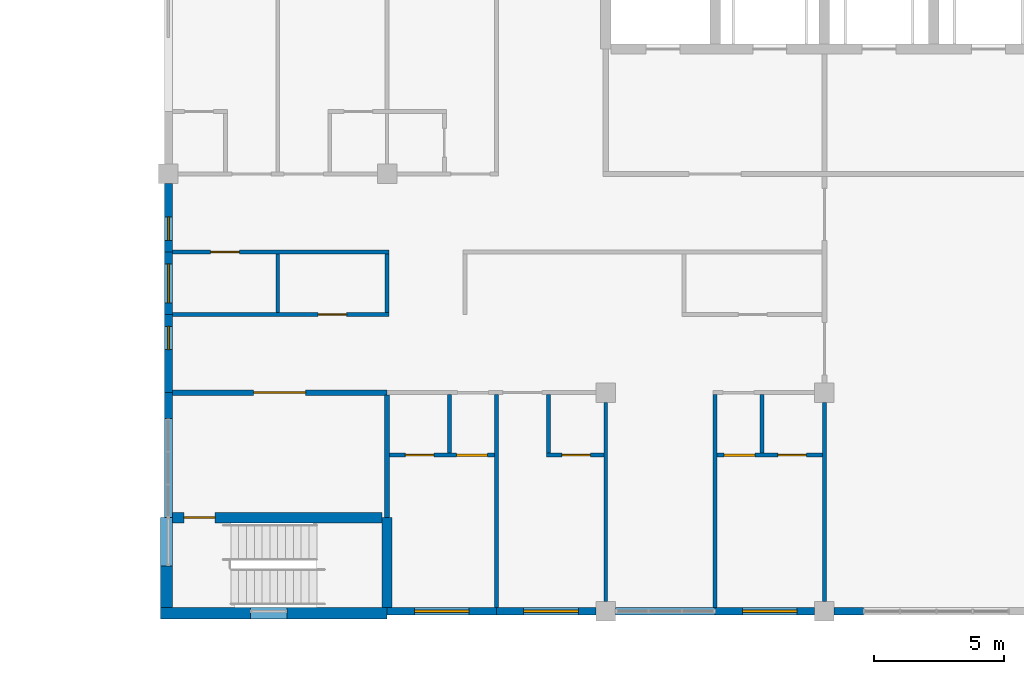
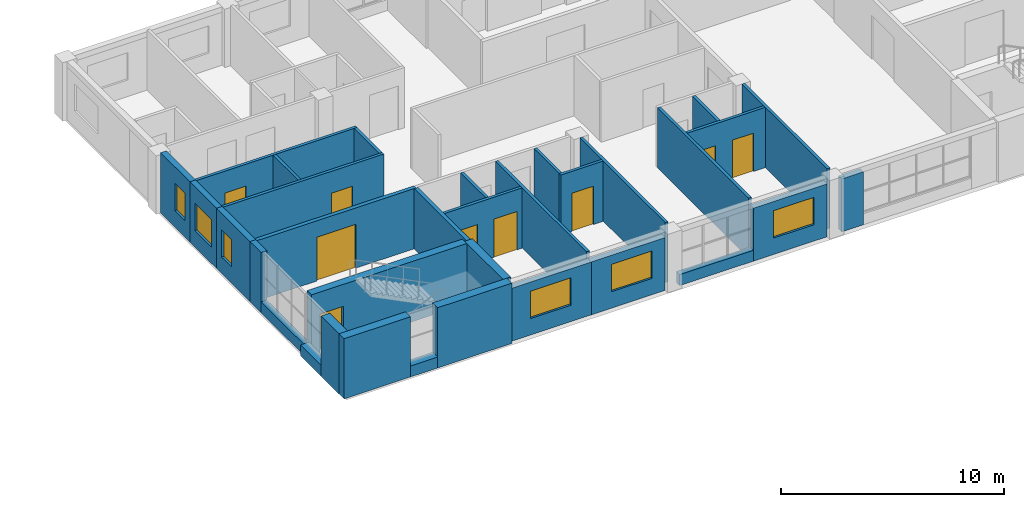
# One storey, part 32 of 48: 33 walls, 9 doors, 6 windows, 15 openings.
"""IFC4 building model written with IfcOpenShell, lengths in metres."""

from ifc_helpers import new_model, si_unit, direction, frame, frame_2d, origin, place, context, subcontext, project, spatial, rectangle, extrude, material, layer, layer_set, type_object, element, fill, save


model = new_model("IFC4")

# Units and contexts
model_context = context("Model", 3, precision=1e-05, world=origin(), true_north=direction((0.0, 1.0)))
body_context = subcontext(model_context, "Body", "Model", "MODEL_VIEW")
ifc_project = project(units=[si_unit("LENGTHUNIT", "METRE"), si_unit("AREAUNIT", "SQUARE_METRE"), si_unit("VOLUMEUNIT", "CUBIC_METRE"), si_unit("PLANEANGLEUNIT", "RADIAN"), si_unit("MASSUNIT", "GRAM", prefix="KILO")], contexts=[model_context])

# Site, building, storey
site_placement = place(None, origin())
site = spatial("IfcSite", under=ifc_project, at=site_placement, CompositionType="ELEMENT")
building_placement = place(site_placement, origin())
building = spatial("IfcBuilding", under=site, at=building_placement, Name="Yavir Park General Hospital", CompositionType="ELEMENT")
storey_placement = place(building_placement, frame((0.0, 0.0, 26.10009765625)))
storey = spatial("IfcBuildingStorey", under=building, at=storey_placement, Name="L06", CompositionType="ELEMENT", Elevation=26.10009765625)

# Wall, opening, door
ifc_material_1 = material(Name="Double gypsum board fire partition on steel studs", Category="steel")
ifc_layer_1 = layer(ifc_material_1, 0.199951171875)
ifc_layer_set_1 = layer_set([ifc_layer_1], Name="Double gypsum board fire partition on steel studs")
wall_type_1 = type_object("IfcWallType", Name="Fire-rated partition 200, EI 60", PredefinedType="PARTITIONING", material=ifc_layer_set_1)
wall_1_placement = place(storey_placement, frame((100.949951171875, 8.39990234375, 0.0), z_axis=(0.0, 0.0, 1.0), x_axis=(1.0, 0.0, 0.0)))
wall_1 = element("IfcWall", 1, at=wall_1_placement, inside=storey, type_object=wall_type_1, Name="FP20 L06-018", PredefinedType="PARTITIONING", context=body_context, shape_type="SweptSolid", body=[
    extrude(rectangle(XDim=8.25, YDim=0.199951171875, at=frame_2d((4.125, 0.0))), origin(), (0.0, 0.0, 1.0), 3.2998046875),
])
opening_1_placement = place(wall_1_placement, frame((3.125, 0.0, 0.0)))
opening_1 = element("IfcOpeningElement", 2, at=opening_1_placement, cuts=wall_1, Name="Opening L06.D025", PredefinedType="OPENING", context=body_context, shape_type="SweptSolid", body=[
    extrude(rectangle(XDim=2.0, YDim=2.39990234375, at=frame_2d((1.0, 1.199951171875))), frame((0.0, 0.10986328125, 0.0), z_axis=(0.0, -1.0, 0.0), x_axis=(1.0, 0.0, 0.0)), (0.0, 0.0, 1.0), 0.219970703125),
])
ifc_material_2 = material(Name="Steel frame, fire-resisting leaves with vision panels", Category="steel")
door_type_1 = type_object("IfcDoorType", Name="Double fire door with vision panels 2000 x 2400, EI 60", OperationType="DOUBLE_DOOR_SINGLE_SWING", PredefinedType="DOOR", material=ifc_material_2)
door_1_placement = place(opening_1_placement, origin())
door_1 = element("IfcDoor", 3, at=door_1_placement, inside=storey, type_object=door_type_1, Name="L06.D025", OperationType="SINGLE_SWING_RIGHT", OverallHeight=2.39990234375, OverallWidth=2.0, PredefinedType="DOOR", context=body_context, shape_type="SweptSolid", body=[
    extrude(rectangle(XDim=2.0, YDim=2.39990234375, at=frame_2d((1.0, 1.199951171875))), frame((0.0, 0.030029296875, 0.0), z_axis=(0.0, -1.0, 0.0), x_axis=(1.0, 0.0, 0.0)), (0.0, 0.0, 1.0), 0.06005859375),
])
fill(opening_1, door_1)

# Wall
wall_2_placement = place(storey_placement, frame((109.199951171875, 3.60009765625, 0.0), z_axis=(0.0, 0.0, 1.0), x_axis=(0.0, 1.0, 0.0)))
element("IfcWall", 4, at=wall_2_placement, inside=storey, type_object=wall_type_1, Name="FP20 L06-214", PredefinedType="PARTITIONING", context=body_context, shape_type="SweptSolid", body=[
    extrude(rectangle(XDim=4.699951171875, YDim=0.199951171875, at=frame_2d((2.35009765625, 0.0))), origin(), (0.0, 0.0, 1.0), 3.2998046875),
])

# Wall, openings, doors
ifc_material_3 = material(Name="Gypsum board partition on steel studs", Category="steel")
ifc_layer_2 = layer(ifc_material_3, 0.14990234375)
ifc_layer_set_2 = layer_set([ifc_layer_2], Name="Gypsum board partition on steel studs")
wall_type_2 = type_object("IfcWallType", Name="Gypsum board partition 150", PredefinedType="PARTITIONING", material=ifc_layer_set_2)
wall_3_placement = place(storey_placement, frame((109.300048828125, 6.0, 0.0), z_axis=(0.0, 0.0, 1.0), x_axis=(1.0, 0.0, 0.0)))
wall_3 = element("IfcWall", 5, at=wall_3_placement, inside=storey, type_object=wall_type_2, Name="P15 L06-008", PredefinedType="PARTITIONING", context=body_context, shape_type="SweptSolid", body=[
    extrude(rectangle(XDim=4.02490234375, YDim=0.14990234375, at=frame_2d((2.012451171875, 0.0))), origin(), (0.0, 0.0, 1.0), 3.2998046875),
])
opening_2_placement = place(wall_3_placement, frame((0.60009765625, 0.0, 0.0)))
opening_2 = element("IfcOpeningElement", 6, at=opening_2_placement, cuts=wall_3, Name="Opening L06.D009", PredefinedType="OPENING", context=body_context, shape_type="SweptSolid", body=[
    extrude(rectangle(XDim=1.10009765625, YDim=2.10009765625, at=frame_2d((0.550048828125, 1.050048828125))), frame((0.0, 0.0849609375, 0.0), z_axis=(0.0, -1.0, 0.0), x_axis=(1.0, 0.0, 0.0)), (0.0, 0.0, 1.0), 0.169921875),
])
opening_3_placement = place(wall_3_placement, frame((2.5625, 0.0, 0.0)))
opening_3 = element("IfcOpeningElement", 7, at=opening_3_placement, cuts=wall_3, Name="Opening L06.D010", PredefinedType="OPENING", context=body_context, shape_type="SweptSolid", body=[
    extrude(rectangle(XDim=1.199951171875, YDim=2.10009765625, at=frame_2d((0.60009765625, 1.050048828125))), frame((0.0, 0.0849609375, 0.0), z_axis=(0.0, -1.0, 0.0), x_axis=(1.0, 0.0, 0.0)), (0.0, 0.0, 1.0), 0.169921875),
])
ifc_material_4 = material(Name="Sealed steel door leaf, compression seals", Category="steel")
door_type_2 = type_object("IfcDoorType", Name="Isolation airlock door 1200 x 2100", OperationType="SINGLE_SWING_LEFT", PredefinedType="DOOR", material=ifc_material_4)
door_2_placement = place(opening_3_placement, origin())
door_2 = element("IfcDoor", 8, at=door_2_placement, inside=storey, type_object=door_type_2, Name="L06.D010", OperationType="SINGLE_SWING_RIGHT", OverallHeight=2.10009765625, OverallWidth=1.199951171875, PredefinedType="DOOR", context=body_context, shape_type="SweptSolid", body=[
    extrude(rectangle(XDim=1.199951171875, YDim=2.10009765625, at=frame_2d((0.60009765625, 1.050048828125))), frame((0.0, 0.050048828125, 0.0), z_axis=(0.0, -1.0, 0.0), x_axis=(1.0, 0.0, 0.0)), (0.0, 0.0, 1.0), 0.10009765625),
])
fill(opening_3, door_2)
ifc_material_5 = material(Name="Hollow metal frame, solid-core timber leaf", Category="wood")
door_type_3 = type_object("IfcDoorType", Name="Single swing door 1100 x 2100", OperationType="SINGLE_SWING_LEFT", PredefinedType="DOOR", material=ifc_material_5)
door_3_placement = place(opening_2_placement, origin())
door_3 = element("IfcDoor", 9, at=door_3_placement, inside=storey, type_object=door_type_3, Name="L06.D009", OperationType="SINGLE_SWING_LEFT", OverallHeight=2.10009765625, OverallWidth=1.10009765625, PredefinedType="DOOR", context=body_context, shape_type="SweptSolid", body=[
    extrude(rectangle(XDim=1.10009765625, YDim=2.10009765625, at=frame_2d((0.550048828125, 1.050048828125))), frame((0.0, 0.02490234375, 0.0), z_axis=(0.0, -1.0, 0.0), x_axis=(1.0, 0.0, 0.0)), (0.0, 0.0, 1.0), 0.050048828125),
])
fill(opening_2, door_3)

# Wall, opening, door
wall_4_placement = place(storey_placement, frame((115.324951171875, 6.0, 0.0), z_axis=(0.0, 0.0, 1.0), x_axis=(1.0, 0.0, 0.0)))
wall_4 = element("IfcWall", 10, at=wall_4_placement, inside=storey, type_object=wall_type_2, Name="P15 L06-009", PredefinedType="PARTITIONING", context=body_context, shape_type="SweptSolid", body=[
    extrude(rectangle(XDim=2.199951171875, YDim=0.14990234375, at=frame_2d((1.10009765625, 0.0))), origin(), (0.0, 0.0, 1.0), 3.2998046875),
])
opening_4_placement = place(wall_4_placement, frame((0.58740234375, 0.0, 0.0)))
opening_4 = element("IfcOpeningElement", 11, at=opening_4_placement, cuts=wall_4, Name="Opening L06.D011", PredefinedType="OPENING", context=body_context, shape_type="SweptSolid", body=[
    extrude(rectangle(XDim=1.10009765625, YDim=2.10009765625, at=frame_2d((0.550048828125, 1.050048828125))), frame((0.0, 0.0849609375, 0.0), z_axis=(0.0, -1.0, 0.0), x_axis=(1.0, 0.0, 0.0)), (0.0, 0.0, 1.0), 0.169921875),
])
door_4_placement = place(opening_4_placement, origin())
door_4 = element("IfcDoor", 12, at=door_4_placement, inside=storey, type_object=door_type_3, Name="L06.D011", OperationType="SINGLE_SWING_RIGHT", OverallHeight=2.10009765625, OverallWidth=1.10009765625, PredefinedType="DOOR", context=body_context, shape_type="SweptSolid", body=[
    extrude(rectangle(XDim=1.10009765625, YDim=2.10009765625, at=frame_2d((0.550048828125, 1.050048828125))), frame((0.0, 0.02490234375, 0.0), z_axis=(0.0, -1.0, 0.0), x_axis=(1.0, 0.0, 0.0)), (0.0, 0.0, 1.0), 0.050048828125),
])
fill(opening_4, door_4)

# Wall, openings, doors
wall_5_placement = place(storey_placement, frame((121.875, 6.0, 0.0), z_axis=(0.0, 0.0, 1.0), x_axis=(1.0, 0.0, 0.0)))
wall_5 = element("IfcWall", 13, at=wall_5_placement, inside=storey, type_object=wall_type_2, Name="P15 L06-010", PredefinedType="PARTITIONING", context=body_context, shape_type="SweptSolid", body=[
    extrude(rectangle(XDim=4.050048828125, YDim=0.14990234375, at=frame_2d((2.02490234375, 0.0))), origin(), (0.0, 0.0, 1.0), 3.2998046875),
])
opening_5_placement = place(wall_5_placement, frame((0.262451171875, 0.0, 0.0)))
opening_5 = element("IfcOpeningElement", 14, at=opening_5_placement, cuts=wall_5, Name="Opening L06.D012", PredefinedType="OPENING", context=body_context, shape_type="SweptSolid", body=[
    extrude(rectangle(XDim=1.199951171875, YDim=2.10009765625, at=frame_2d((0.60009765625, 1.050048828125))), frame((0.0, 0.0849609375, 0.0), z_axis=(0.0, -1.0, 0.0), x_axis=(1.0, 0.0, 0.0)), (0.0, 0.0, 1.0), 0.169921875),
])
opening_6_placement = place(wall_5_placement, frame((2.33740234375, 0.0, 0.0)))
opening_6 = element("IfcOpeningElement", 15, at=opening_6_placement, cuts=wall_5, Name="Opening L06.D013", PredefinedType="OPENING", context=body_context, shape_type="SweptSolid", body=[
    extrude(rectangle(XDim=1.10009765625, YDim=2.10009765625, at=frame_2d((0.550048828125, 1.050048828125))), frame((0.0, 0.0849609375, 0.0), z_axis=(0.0, -1.0, 0.0), x_axis=(1.0, 0.0, 0.0)), (0.0, 0.0, 1.0), 0.169921875),
])
door_5_placement = place(opening_5_placement, origin())
door_5 = element("IfcDoor", 16, at=door_5_placement, inside=storey, type_object=door_type_2, Name="L06.D012", OperationType="SINGLE_SWING_LEFT", OverallHeight=2.10009765625, OverallWidth=1.199951171875, PredefinedType="DOOR", context=body_context, shape_type="SweptSolid", body=[
    extrude(rectangle(XDim=1.199951171875, YDim=2.10009765625, at=frame_2d((0.60009765625, 1.050048828125))), frame((0.0, 0.050048828125, 0.0), z_axis=(0.0, -1.0, 0.0), x_axis=(1.0, 0.0, 0.0)), (0.0, 0.0, 1.0), 0.10009765625),
])
fill(opening_5, door_5)
door_6_placement = place(opening_6_placement, origin())
door_6 = element("IfcDoor", 17, at=door_6_placement, inside=storey, type_object=door_type_3, Name="L06.D013", OperationType="SINGLE_SWING_RIGHT", OverallHeight=2.10009765625, OverallWidth=1.10009765625, PredefinedType="DOOR", context=body_context, shape_type="SweptSolid", body=[
    extrude(rectangle(XDim=1.10009765625, YDim=2.10009765625, at=frame_2d((0.550048828125, 1.050048828125))), frame((0.0, 0.02490234375, 0.0), z_axis=(0.0, -1.0, 0.0), x_axis=(1.0, 0.0, 0.0)), (0.0, 0.0, 1.0), 0.050048828125),
])
fill(opening_6, door_6)

# Wall, opening, door
wall_6_placement = place(storey_placement, frame((100.949951171875, 11.39990234375, 0.0), z_axis=(0.0, 0.0, 1.0), x_axis=(1.0, 0.0, 0.0)))
wall_6 = element("IfcWall", 18, at=wall_6_placement, inside=storey, type_object=wall_type_2, Name="P15 L06-026", PredefinedType="PARTITIONING", context=body_context, shape_type="SweptSolid", body=[
    extrude(rectangle(XDim=8.324951171875, YDim=0.14990234375, at=frame_2d((4.16259765625, 0.0))), origin(), (0.0, 0.0, 1.0), 3.2998046875),
])
opening_7_placement = place(wall_6_placement, frame((5.60009765625, 0.0, 0.0)))
opening_7 = element("IfcOpeningElement", 19, at=opening_7_placement, cuts=wall_6, Name="Opening L06.D035", PredefinedType="OPENING", context=body_context, shape_type="SweptSolid", body=[
    extrude(rectangle(XDim=1.10009765625, YDim=2.10009765625, at=frame_2d((0.550048828125, 1.050048828125))), frame((0.0, 0.0849609375, 0.0), z_axis=(0.0, -1.0, 0.0), x_axis=(1.0, 0.0, 0.0)), (0.0, 0.0, 1.0), 0.169921875),
])
door_7_placement = place(opening_7_placement, origin())
door_7 = element("IfcDoor", 20, at=door_7_placement, inside=storey, type_object=door_type_3, Name="L06.D035", OperationType="SINGLE_SWING_RIGHT", OverallHeight=2.10009765625, OverallWidth=1.10009765625, PredefinedType="DOOR", context=body_context, shape_type="SweptSolid", body=[
    extrude(rectangle(XDim=1.10009765625, YDim=2.10009765625, at=frame_2d((0.550048828125, 1.050048828125))), frame((0.0, 0.02490234375, 0.0), z_axis=(0.0, -1.0, 0.0), x_axis=(1.0, 0.0, 0.0)), (0.0, 0.0, 1.0), 0.050048828125),
])
fill(opening_7, door_7)

wall_7_placement = place(storey_placement, frame((100.949951171875, 13.800048828125, 0.0), z_axis=(0.0, 0.0, 1.0), x_axis=(1.0, 0.0, 0.0)))
wall_7 = element("IfcWall", 21, at=wall_7_placement, inside=storey, type_object=wall_type_2, Name="P15 L06-033", PredefinedType="PARTITIONING", context=body_context, shape_type="SweptSolid", body=[
    extrude(rectangle(XDim=8.324951171875, YDim=0.14990234375, at=frame_2d((4.16259765625, 0.0))), origin(), (0.0, 0.0, 1.0), 3.2998046875),
])
opening_8_placement = place(wall_7_placement, frame((1.47509765625, 0.0, 0.0)))
opening_8 = element("IfcOpeningElement", 22, at=opening_8_placement, cuts=wall_7, Name="Opening L06.D038", PredefinedType="OPENING", context=body_context, shape_type="SweptSolid", body=[
    extrude(rectangle(XDim=1.10009765625, YDim=2.10009765625, at=frame_2d((0.550048828125, 1.050048828125))), frame((0.0, 0.0849609375, 0.0), z_axis=(0.0, -1.0, 0.0), x_axis=(1.0, 0.0, 0.0)), (0.0, 0.0, 1.0), 0.169921875),
])
door_8_placement = place(opening_8_placement, origin())
door_8 = element("IfcDoor", 23, at=door_8_placement, inside=storey, type_object=door_type_3, Name="L06.D038", OperationType="SINGLE_SWING_RIGHT", OverallHeight=2.10009765625, OverallWidth=1.10009765625, PredefinedType="DOOR", context=body_context, shape_type="SweptSolid", body=[
    extrude(rectangle(XDim=1.10009765625, YDim=2.10009765625, at=frame_2d((0.550048828125, 1.050048828125))), frame((0.0, 0.02490234375, 0.0), z_axis=(0.0, -1.0, 0.0), x_axis=(1.0, 0.0, 0.0)), (0.0, 0.0, 1.0), 0.050048828125),
])
fill(opening_8, door_8)

# Walls
for number, where, z_axis, x_axis, name in (
    (24, (105.0, 11.47509765625, 0.0), (0.0, 0.0, 1.0), (0.0, 1.0, 0.0), "P15 L06-210"),
    (25, (109.199951171875, 11.47509765625, 0.0), (0.0, 0.0, 1.0), (0.0, 1.0, 0.0), "P15 L06-215"),
    (26, (111.60009765625, 6.074951171875, 0.0), (0.0, 0.0, 1.0), (0.0, 1.0, 0.0), "P15 L06-219"),
):
    element("IfcWall", number, at=place(storey_placement, frame(where, z_axis=z_axis, x_axis=x_axis)), inside=storey, type_object=wall_type_2, Name=name, PredefinedType="PARTITIONING", context=body_context, shape_type="SweptSolid", body=[
        extrude(rectangle(XDim=2.25, YDim=0.14990234375, at=frame_2d((1.125, 0.0))), origin(), (0.0, 0.0, 1.0), 3.2998046875),
    ])
wall_8_placement = place(storey_placement, frame((113.39990234375, 0.14990234375, 0.0), z_axis=(0.0, 0.0, 1.0), x_axis=(0.0, 1.0, 0.0)))
element("IfcWall", 27, at=wall_8_placement, inside=storey, type_object=wall_type_2, Name="P15 L06-221", PredefinedType="PARTITIONING", context=body_context, shape_type="SweptSolid", body=[
    extrude(rectangle(XDim=8.175048828125, YDim=0.14990234375, at=frame_2d((4.08740234375, 0.0))), origin(), (0.0, 0.0, 1.0), 3.2998046875),
])
wall_9_placement = place(storey_placement, frame((115.39990234375, 6.074951171875, 0.0), z_axis=(0.0, 0.0, 1.0), x_axis=(0.0, 1.0, 0.0)))
element("IfcWall", 28, at=wall_9_placement, inside=storey, type_object=wall_type_2, Name="P15 L06-223", PredefinedType="PARTITIONING", context=body_context, shape_type="SweptSolid", body=[
    extrude(rectangle(XDim=2.25, YDim=0.14990234375, at=frame_2d((1.125, 0.0))), origin(), (0.0, 0.0, 1.0), 3.2998046875),
])
wall_10_placement = place(storey_placement, frame((117.60009765625, 0.375, 0.0), z_axis=(0.0, 0.0, 1.0), x_axis=(0.0, 1.0, 0.0)))
element("IfcWall", 29, at=wall_10_placement, inside=storey, type_object=wall_type_2, Name="P15 L06-224", PredefinedType="PARTITIONING", context=body_context, shape_type="SweptSolid", body=[
    extrude(rectangle(XDim=7.64990234375, YDim=0.14990234375, at=frame_2d((3.824951171875, 0.0))), origin(), (0.0, 0.0, 1.0), 3.2998046875),
])
wall_11_placement = place(storey_placement, frame((121.800048828125, 0.14990234375, 0.0), z_axis=(0.0, 0.0, 1.0), x_axis=(0.0, 1.0, 0.0)))
element("IfcWall", 30, at=wall_11_placement, inside=storey, type_object=wall_type_2, Name="P15 L06-228", PredefinedType="PARTITIONING", context=body_context, shape_type="SweptSolid", body=[
    extrude(rectangle(XDim=8.175048828125, YDim=0.14990234375, at=frame_2d((4.08740234375, 0.0))), origin(), (0.0, 0.0, 1.0), 3.2998046875),
])
wall_12_placement = place(storey_placement, frame((123.60009765625, 6.074951171875, 0.0), z_axis=(0.0, 0.0, 1.0), x_axis=(0.0, 1.0, 0.0)))
element("IfcWall", 31, at=wall_12_placement, inside=storey, type_object=wall_type_2, Name="P15 L06-230", PredefinedType="PARTITIONING", context=body_context, shape_type="SweptSolid", body=[
    extrude(rectangle(XDim=2.25, YDim=0.14990234375, at=frame_2d((1.125, 0.0))), origin(), (0.0, 0.0, 1.0), 3.2998046875),
])
wall_13_placement = place(storey_placement, frame((126.0, 0.375, 0.0), z_axis=(0.0, 0.0, 1.0), x_axis=(0.0, 1.0, 0.0)))
element("IfcWall", 32, at=wall_13_placement, inside=storey, type_object=wall_type_2, Name="P15 L06-231", PredefinedType="PARTITIONING", context=body_context, shape_type="SweptSolid", body=[
    extrude(rectangle(XDim=7.64990234375, YDim=0.14990234375, at=frame_2d((3.824951171875, 0.0))), origin(), (0.0, 0.0, 1.0), 3.2998046875),
])

# Wall, opening, window
ifc_material_6 = material(Name="Autoclaved aerated block, mineral wool and ochre mineral render")
ifc_layer_3 = layer(ifc_material_6, 0.300048828125)
ifc_layer_set_3 = layer_set([ifc_layer_3], Name="Autoclaved aerated block, mineral wool and ochre mineral render")
wall_type_3 = type_object("IfcWallType", Name="Ochre render ward wall 300, E 30", PredefinedType="SOLIDWALL", material=ifc_layer_set_3)
wall_14_placement = place(storey_placement, frame((109.199951171875, 0.0, 0.0), z_axis=(0.0, 0.0, 1.0), x_axis=(1.0, 0.0, 0.0)))
wall_14 = element("IfcWall", 33, at=wall_14_placement, inside=storey, type_object=wall_type_3, Name="XW7 L06-016", PredefinedType="SOLIDWALL", context=body_context, shape_type="SweptSolid", body=[
    extrude(rectangle(XDim=4.199951171875, YDim=0.300048828125, at=frame_2d((2.10009765625, 0.0))), origin(), (0.0, 0.0, 1.0), 2.89990234375),
])
opening_9_placement = place(wall_14_placement, frame((1.050048828125, 0.0, 0.89990234375)))
opening_9 = element("IfcOpeningElement", 34, at=opening_9_placement, cuts=wall_14, Name="Opening WI", PredefinedType="OPENING", context=body_context, shape_type="SweptSolid", body=[
    extrude(rectangle(XDim=2.10009765625, YDim=1.5, at=frame_2d((1.050048828125, 0.75))), frame((0.0, 0.159912109375, 0.0), z_axis=(0.0, -1.0, 0.0), x_axis=(1.0, 0.0, 0.0)), (0.0, 0.0, 1.0), 0.320068359375),
])
ifc_material_7 = material(Name="Aluminium frame, acoustic glazed unit", Category="aluminium")
window_type_1 = type_object("IfcWindowType", Name="Acoustic glazed window 2100 x 1500", PartitioningType="SINGLE_PANEL", PredefinedType="WINDOW", material=ifc_material_7)
window_1_placement = place(opening_9_placement, origin())
window_1 = element("IfcWindow", 35, at=window_1_placement, inside=storey, type_object=window_type_1, Name="WI L06-006", OverallHeight=1.5, OverallWidth=2.10009765625, PartitioningType="SINGLE_PANEL", PredefinedType="WINDOW", context=body_context, shape_type="SweptSolid", body=[
    extrude(rectangle(XDim=2.10009765625, YDim=1.5, at=frame_2d((1.050048828125, 0.75))), frame((0.0, 0.044921875, 0.0), z_axis=(0.0, -1.0, 0.0), x_axis=(1.0, 0.0, 0.0)), (0.0, 0.0, 1.0), 0.090087890625),
])
fill(opening_9, window_1)

wall_15_placement = place(storey_placement, frame((113.39990234375, 0.0, 0.0), z_axis=(0.0, 0.0, 1.0), x_axis=(1.0, 0.0, 0.0)))
wall_15 = element("IfcWall", 36, at=wall_15_placement, inside=storey, type_object=wall_type_3, Name="XW7 L06-017", PredefinedType="SOLIDWALL", context=body_context, shape_type="SweptSolid", body=[
    extrude(rectangle(XDim=3.8251953125, YDim=0.300048828125, at=frame_2d((1.91259765625, 0.0))), origin(), (0.0, 0.0, 1.0), 2.89990234375),
])
opening_10_placement = place(wall_15_placement, frame((1.050048828125, 0.0, 0.89990234375)))
opening_10 = element("IfcOpeningElement", 37, at=opening_10_placement, cuts=wall_15, Name="Opening WAR", PredefinedType="OPENING", context=body_context, shape_type="SweptSolid", body=[
    extrude(rectangle(XDim=2.10009765625, YDim=1.5, at=frame_2d((1.050048828125, 0.75))), frame((0.0, 0.159912109375, 0.0), z_axis=(0.0, -1.0, 0.0), x_axis=(1.0, 0.0, 0.0)), (0.0, 0.0, 1.0), 0.320068359375),
])
ifc_material_8 = material(Name="Aluminium frame, tilt-and-turn sash with opening restrictor, double glazed unit", Category="aluminium")
window_type_2 = type_object("IfcWindowType", Name="Ward window, restricted opening 2100 x 1500", PartitioningType="DOUBLE_PANEL_VERTICAL", PredefinedType="WINDOW", material=ifc_material_8)
window_2_placement = place(opening_10_placement, origin())
window_2 = element("IfcWindow", 38, at=window_2_placement, inside=storey, type_object=window_type_2, Name="WAR L06-007", OverallHeight=1.5, OverallWidth=2.10009765625, PartitioningType="DOUBLE_PANEL_VERTICAL", PredefinedType="WINDOW", context=body_context, shape_type="SweptSolid", body=[
    extrude(rectangle(XDim=2.10009765625, YDim=1.5, at=frame_2d((1.050048828125, 0.75))), frame((0.0, 0.050048828125, 0.0), z_axis=(0.0, -1.0, 0.0), x_axis=(1.0, 0.0, 0.0)), (0.0, 0.0, 1.0), 0.10009765625),
])
fill(opening_10, window_2)

# Wall
wall_16_placement = place(storey_placement, frame((117.97509765625, 0.0, 0.0), z_axis=(0.0, 0.0, 1.0), x_axis=(1.0, 0.0, 0.0)))
element("IfcWall", 39, at=wall_16_placement, inside=storey, type_object=wall_type_3, Name="XW7 L06-018", PredefinedType="SOLIDWALL", context=body_context, shape_type="SweptSolid", body=[
    extrude(rectangle(XDim=3.824951171875, YDim=0.300048828125, at=frame_2d((1.91259765625, 0.0))), origin(), (0.0, 0.0, 1.0), 0.599853515625),
])

# Wall, opening, window
wall_17_placement = place(storey_placement, frame((121.800048828125, 0.0, 0.0), z_axis=(0.0, 0.0, 1.0), x_axis=(1.0, 0.0, 0.0)))
wall_17 = element("IfcWall", 40, at=wall_17_placement, inside=storey, type_object=wall_type_3, Name="XW7 L06-019", PredefinedType="SOLIDWALL", context=body_context, shape_type="SweptSolid", body=[
    extrude(rectangle(XDim=3.824951171875, YDim=0.300048828125, at=frame_2d((1.91259765625, 0.0))), origin(), (0.0, 0.0, 1.0), 2.89990234375),
])
opening_11_placement = place(wall_17_placement, frame((1.050048828125, 0.0, 0.89990234375)))
opening_11 = element("IfcOpeningElement", 41, at=opening_11_placement, cuts=wall_17, Name="Opening WI", PredefinedType="OPENING", context=body_context, shape_type="SweptSolid", body=[
    extrude(rectangle(XDim=2.10009765625, YDim=1.5, at=frame_2d((1.050048828125, 0.75))), frame((0.0, 0.159912109375, 0.0), z_axis=(0.0, -1.0, 0.0), x_axis=(1.0, 0.0, 0.0)), (0.0, 0.0, 1.0), 0.320068359375),
])
window_3_placement = place(opening_11_placement, origin())
window_3 = element("IfcWindow", 42, at=window_3_placement, inside=storey, type_object=window_type_1, Name="WI L06-008", OverallHeight=1.5, OverallWidth=2.10009765625, PartitioningType="SINGLE_PANEL", PredefinedType="WINDOW", context=body_context, shape_type="SweptSolid", body=[
    extrude(rectangle(XDim=2.10009765625, YDim=1.5, at=frame_2d((1.050048828125, 0.75))), frame((0.0, 0.044921875, 0.0), z_axis=(0.0, -1.0, 0.0), x_axis=(1.0, 0.0, 0.0)), (0.0, 0.0, 1.0), 0.090087890625),
])
fill(opening_11, window_3)

# Walls
wall_18_placement = place(storey_placement, frame((126.375, 0.0, 0.0), z_axis=(0.0, 0.0, 1.0), x_axis=(1.0, 0.0, 0.0)))
element("IfcWall", 43, at=wall_18_placement, inside=storey, type_object=wall_type_3, Name="XW7 L06-020", PredefinedType="SOLIDWALL", context=body_context, shape_type="SweptSolid", body=[
    extrude(rectangle(XDim=1.125, YDim=0.300048828125, at=frame_2d((0.5625, 0.0))), origin(), (0.0, 0.0, 1.0), 2.89990234375),
])
wall_19_placement = place(storey_placement, frame((100.800048828125, 7.39990234375, 0.0), z_axis=(0.0, 0.0, 1.0), x_axis=(0.0, 1.0, 0.0)))
element("IfcWall", 44, at=wall_19_placement, inside=storey, type_object=wall_type_3, Name="XW7 L06-137", PredefinedType="SOLIDWALL", context=body_context, shape_type="SweptSolid", body=[
    extrude(rectangle(XDim=1.0, YDim=0.300048828125, at=frame_2d((0.5, 0.0))), origin(), (0.0, 0.0, 1.0), 3.2998046875),
])
wall_20_placement = place(storey_placement, frame((100.800048828125, 3.60009765625, 0.0), z_axis=(0.0, 0.0, 1.0), x_axis=(0.0, 1.0, 0.0)))
element("IfcWall", 45, at=wall_20_placement, inside=storey, type_object=wall_type_3, Name="XW7 L06-138", PredefinedType="SOLIDWALL", context=body_context, shape_type="SweptSolid", body=[
    extrude(rectangle(XDim=3.7998046875, YDim=0.300048828125, at=frame_2d((1.89990234375, 0.0))), origin(), (0.0, 0.0, 1.0), 0.599853515625),
])

# Wall, opening, window
wall_21_placement = place(storey_placement, frame((100.800048828125, 8.39990234375, 0.0), z_axis=(0.0, 0.0, 1.0), x_axis=(0.0, 1.0, 0.0)))
wall_21 = element("IfcWall", 46, at=wall_21_placement, inside=storey, type_object=wall_type_3, Name="XW7 L06-139", PredefinedType="SOLIDWALL", context=body_context, shape_type="SweptSolid", body=[
    extrude(rectangle(XDim=3.0, YDim=0.300048828125, at=frame_2d((1.5, 0.0))), origin(), (0.0, 0.0, 1.0), 3.2998046875),
])
opening_12_placement = place(wall_21_placement, frame((1.64990234375, 0.0, 0.89990234375)))
opening_12 = element("IfcOpeningElement", 47, at=opening_12_placement, cuts=wall_21, Name="Opening WH", PredefinedType="OPENING", context=body_context, shape_type="SweptSolid", body=[
    extrude(rectangle(XDim=0.89990234375, YDim=1.5, at=frame_2d((0.449951171875, 0.75))), frame((0.0, 0.159912109375, 0.0), z_axis=(0.0, -1.0, 0.0), x_axis=(1.0, 0.0, 0.0)), (0.0, 0.0, 1.0), 0.320068359375),
])
ifc_material_9 = material(Name="Aluminium frame, double glazed unit", Category="aluminium")
window_type_3 = type_object("IfcWindowType", Name="Narrow window 900 x 1500", PartitioningType="SINGLE_PANEL", PredefinedType="WINDOW", material=ifc_material_9)
window_4_placement = place(opening_12_placement, origin())
window_4 = element("IfcWindow", 48, at=window_4_placement, inside=storey, type_object=window_type_3, Name="WH L06-059", OverallHeight=1.5, OverallWidth=0.89990234375, PartitioningType="SINGLE_PANEL", PredefinedType="WINDOW", context=body_context, shape_type="SweptSolid", body=[
    extrude(rectangle(XDim=0.89990234375, YDim=1.5, at=frame_2d((0.449951171875, 0.75))), frame((0.0, 0.030029296875, 0.0), z_axis=(0.0, -1.0, 0.0), x_axis=(1.0, 0.0, 0.0)), (0.0, 0.0, 1.0), 0.06005859375),
])
fill(opening_12, window_4)

wall_22_placement = place(storey_placement, frame((100.800048828125, 11.39990234375, 0.0), z_axis=(0.0, 0.0, 1.0), x_axis=(0.0, 1.0, 0.0)))
wall_22 = element("IfcWall", 49, at=wall_22_placement, inside=storey, type_object=wall_type_3, Name="XW7 L06-140", PredefinedType="SOLIDWALL", context=body_context, shape_type="SweptSolid", body=[
    extrude(rectangle(XDim=2.400146484375, YDim=0.300048828125, at=frame_2d((1.2001953125, 0.0))), origin(), (0.0, 0.0, 1.0), 3.2998046875),
])
opening_13_placement = place(wall_22_placement, frame((0.449951171875, 0.0, 0.89990234375)))
opening_13 = element("IfcOpeningElement", 50, at=opening_13_placement, cuts=wall_22, Name="Opening WC", PredefinedType="OPENING", context=body_context, shape_type="SweptSolid", body=[
    extrude(rectangle(XDim=1.5, YDim=1.5, at=frame_2d((0.75, 0.75))), frame((0.0, 0.159912109375, 0.0), z_axis=(0.0, -1.0, 0.0), x_axis=(1.0, 0.0, 0.0)), (0.0, 0.0, 1.0), 0.320068359375),
])
ifc_material_10 = material(Name="Aluminium frame, double glazed unit", Category="aluminium")
window_type_4 = type_object("IfcWindowType", Name="Consulting room window 1500 x 1500", PartitioningType="SINGLE_PANEL", PredefinedType="WINDOW", material=ifc_material_10)
window_5_placement = place(opening_13_placement, origin())
window_5 = element("IfcWindow", 51, at=window_5_placement, inside=storey, type_object=window_type_4, Name="WC L06-060", OverallHeight=1.5, OverallWidth=1.5, PartitioningType="SINGLE_PANEL", PredefinedType="WINDOW", context=body_context, shape_type="SweptSolid", body=[
    extrude(rectangle(XDim=1.5, YDim=1.5, at=frame_2d((0.75, 0.75))), frame((0.0, 0.030029296875, 0.0), z_axis=(0.0, -1.0, 0.0), x_axis=(1.0, 0.0, 0.0)), (0.0, 0.0, 1.0), 0.06005859375),
])
fill(opening_13, window_5)

wall_23_placement = place(storey_placement, frame((100.800048828125, 13.800048828125, 0.0), z_axis=(0.0, 0.0, 1.0), x_axis=(0.0, 1.0, 0.0)))
wall_23 = element("IfcWall", 52, at=wall_23_placement, inside=storey, type_object=wall_type_3, Name="XW7 L06-141", PredefinedType="SOLIDWALL", context=body_context, shape_type="SweptSolid", body=[
    extrude(rectangle(XDim=2.625, YDim=0.300048828125, at=frame_2d((1.3125, 0.0))), origin(), (0.0, 0.0, 1.0), 3.2998046875),
])
opening_14_placement = place(wall_23_placement, frame((0.449951171875, 0.0, 0.89990234375)))
opening_14 = element("IfcOpeningElement", 53, at=opening_14_placement, cuts=wall_23, Name="Opening WH", PredefinedType="OPENING", context=body_context, shape_type="SweptSolid", body=[
    extrude(rectangle(XDim=0.89990234375, YDim=1.5, at=frame_2d((0.449951171875, 0.75))), frame((0.0, 0.159912109375, 0.0), z_axis=(0.0, -1.0, 0.0), x_axis=(1.0, 0.0, 0.0)), (0.0, 0.0, 1.0), 0.320068359375),
])
window_6_placement = place(opening_14_placement, origin())
window_6 = element("IfcWindow", 54, at=window_6_placement, inside=storey, type_object=window_type_3, Name="WH L06-061", OverallHeight=1.5, OverallWidth=0.89990234375, PartitioningType="SINGLE_PANEL", PredefinedType="WINDOW", context=body_context, shape_type="SweptSolid", body=[
    extrude(rectangle(XDim=0.89990234375, YDim=1.5, at=frame_2d((0.449951171875, 0.75))), frame((0.0, 0.030029296875, 0.0), z_axis=(0.0, -1.0, 0.0), x_axis=(1.0, 0.0, 0.0)), (0.0, 0.0, 1.0), 0.06005859375),
])
fill(opening_14, window_6)

# Wall, opening, door
ifc_material_11 = material(Name="Concrete C35/45", Category="concrete")
ifc_layer_4 = layer(ifc_material_11, 0.39990234375)
ifc_layer_set_4 = layer_set([ifc_layer_4], Name="Concrete C35/45")
wall_type_4 = type_object("IfcWallType", Name="Reinforced concrete core wall 400, REI 150", PredefinedType="SHEAR", material=ifc_layer_set_4)
wall_24_placement = place(storey_placement, frame((100.949951171875, 3.60009765625, 0.0), z_axis=(0.0, 0.0, 1.0), x_axis=(1.0, 0.0, 0.0)))
wall_24 = element("IfcWall", 55, at=wall_24_placement, inside=storey, type_object=wall_type_4, Name="CW40 L06-002", PredefinedType="SHEAR", context=body_context, shape_type="SweptSolid", body=[
    extrude(rectangle(XDim=8.050048828125, YDim=0.39990234375, at=frame_2d((4.02490234375, 0.0))), origin(), (0.0, 0.0, 1.0), 3.2998046875),
])
opening_15_placement = place(wall_24_placement, frame((0.449951171875, 0.0, 0.0)))
opening_15 = element("IfcOpeningElement", 56, at=opening_15_placement, cuts=wall_24, Name="Opening L06.D002", PredefinedType="OPENING", context=body_context, shape_type="SweptSolid", body=[
    extrude(rectangle(XDim=1.199951171875, YDim=2.10009765625, at=frame_2d((0.60009765625, 1.050048828125))), frame((0.0, 0.2099609375, 0.0), z_axis=(0.0, -1.0, 0.0), x_axis=(1.0, 0.0, 0.0)), (0.0, 0.0, 1.0), 0.419921875),
])
ifc_material_12 = material(Name="Steel frame, fire-resisting timber leaf", Category="steel")
door_type_4 = type_object("IfcDoorType", Name="Fire door 1200 x 2100, EI 60", OperationType="SINGLE_SWING_LEFT", PredefinedType="DOOR", material=ifc_material_12)
door_9_placement = place(opening_15_placement, origin())
door_9 = element("IfcDoor", 57, at=door_9_placement, inside=storey, type_object=door_type_4, Name="L06.D002", OperationType="SINGLE_SWING_LEFT", OverallHeight=2.10009765625, OverallWidth=1.199951171875, PredefinedType="DOOR", context=body_context, shape_type="SweptSolid", body=[
    extrude(rectangle(XDim=1.199951171875, YDim=2.10009765625, at=frame_2d((0.60009765625, 1.050048828125))), frame((0.0, 0.02490234375, 0.0), z_axis=(0.0, -1.0, 0.0), x_axis=(1.0, 0.0, 0.0)), (0.0, 0.0, 1.0), 0.050048828125),
])
fill(opening_15, door_9)

# Walls
wall_25_placement = place(storey_placement, frame((109.199951171875, 0.14990234375, 0.0), z_axis=(0.0, 0.0, 1.0), x_axis=(0.0, 1.0, 0.0)))
element("IfcWall", 58, at=wall_25_placement, inside=storey, type_object=wall_type_4, Name="CW40 L06-213", PredefinedType="SHEAR", context=body_context, shape_type="SweptSolid", body=[
    extrude(rectangle(XDim=3.4501953125, YDim=0.39990234375, at=frame_2d((1.72509765625, 0.0))), origin(), (0.0, 0.0, 1.0), 3.2998046875),
])
ifc_material_13 = material(Name="Concrete C30/37 precast panel with 150 mm mineral wool insulation", Category="concrete")
ifc_layer_5 = layer(ifc_material_13, 0.449951171875)
ifc_layer_set_5 = layer_set([ifc_layer_5], Name="Concrete C30/37 precast panel with 150 mm mineral wool insulation")
wall_type_5 = type_object("IfcWallType", Name="Stair enclosure wall 450, REI 150", PredefinedType="SOLIDWALL", material=ifc_layer_set_5)
wall_26_placement = place(storey_placement, frame((100.5, -0.074951171875, 0.0), z_axis=(0.0, 0.0, 1.0), x_axis=(1.0, 0.0, 0.0)))
element("IfcWall", 59, at=wall_26_placement, inside=storey, type_object=wall_type_5, Name="XW6 L06-013", PredefinedType="SOLIDWALL", context=body_context, shape_type="SweptSolid", body=[
    extrude(rectangle(XDim=3.449951171875, YDim=0.449951171875, at=frame_2d((1.72509765625, 0.0))), origin(), (0.0, 0.0, 1.0), 3.2998046875),
])
wall_27_placement = place(storey_placement, frame((105.35009765625, -0.074951171875, 0.0), z_axis=(0.0, 0.0, 1.0), x_axis=(1.0, 0.0, 0.0)))
element("IfcWall", 60, at=wall_27_placement, inside=storey, type_object=wall_type_5, Name="XW6 L06-014", PredefinedType="SOLIDWALL", context=body_context, shape_type="SweptSolid", body=[
    extrude(rectangle(XDim=3.849853515625, YDim=0.449951171875, at=frame_2d((1.9248046875, 0.0))), origin(), (0.0, 0.0, 1.0), 3.2998046875),
])
wall_28_placement = place(storey_placement, frame((103.949951171875, -0.074951171875, 0.0), z_axis=(0.0, 0.0, 1.0), x_axis=(1.0, 0.0, 0.0)))
element("IfcWall", 61, at=wall_28_placement, inside=storey, type_object=wall_type_5, Name="XW6 L06-015", PredefinedType="SOLIDWALL", context=body_context, shape_type="SweptSolid", body=[
    extrude(rectangle(XDim=1.400146484375, YDim=0.449951171875, at=frame_2d((0.7001953125, 0.0))), origin(), (0.0, 0.0, 1.0), 0.599853515625),
])
wall_29_placement = place(storey_placement, frame((100.72509765625, 0.14990234375, 0.0), z_axis=(0.0, 0.0, 1.0), x_axis=(0.0, 1.0, 0.0)))
element("IfcWall", 62, at=wall_29_placement, inside=storey, type_object=wall_type_5, Name="XW6 L06-135", PredefinedType="SOLIDWALL", context=body_context, shape_type="SweptSolid", body=[
    extrude(rectangle(XDim=1.60009765625, YDim=0.449951171875, at=frame_2d((0.800048828125, 0.0))), origin(), (0.0, 0.0, 1.0), 3.2998046875),
])
wall_30_placement = place(storey_placement, frame((100.72509765625, 1.75, 0.0), z_axis=(0.0, 0.0, 1.0), x_axis=(0.0, 1.0, 0.0)))
element("IfcWall", 63, at=wall_30_placement, inside=storey, type_object=wall_type_5, Name="XW6 L06-136", PredefinedType="SOLIDWALL", context=body_context, shape_type="SweptSolid", body=[
    extrude(rectangle(XDim=1.85009765625, YDim=0.449951171875, at=frame_2d((0.925048828125, 0.0))), origin(), (0.0, 0.0, 1.0), 0.599853515625),
])

save(model, "model.ifc")
